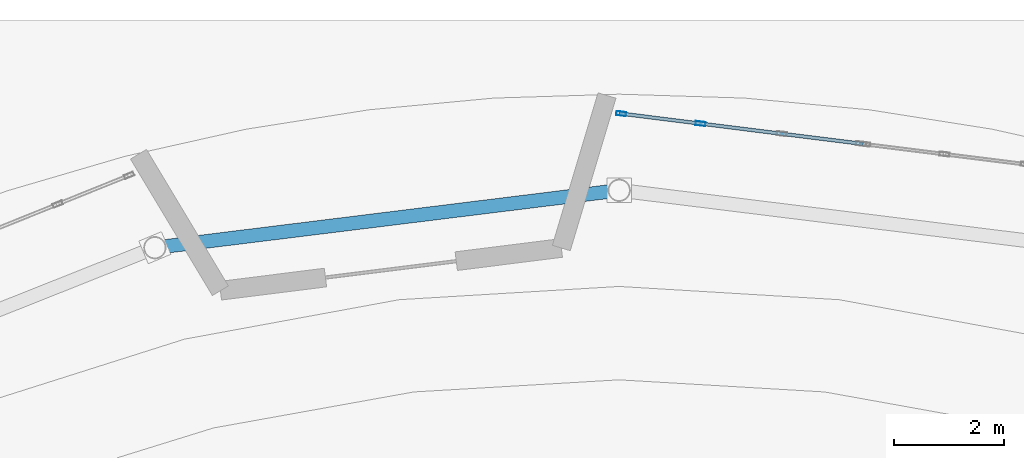
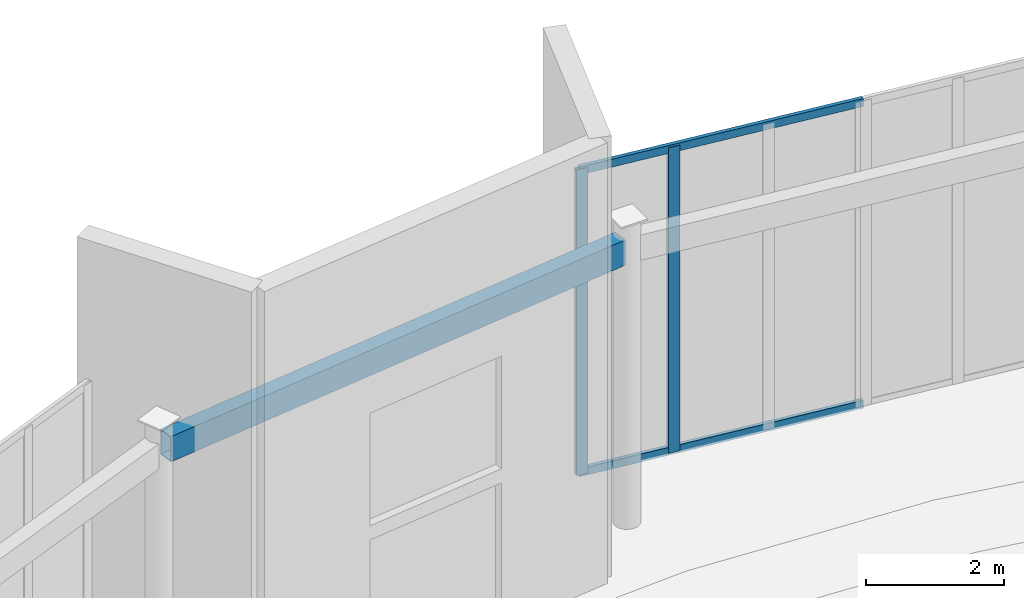
# One storey, part 40 of 94: 4 members, 1 beam, 1 element without a shape of its own.
"""IFC4 building model written with IfcOpenShell, lengths in metres."""

from ifc_helpers import new_model, si_unit, direction, frame, origin, origin_2d, place, context, subcontext, project, spatial, hollow_rectangle, extrude, material, layer, layer_set, material_profile, profile_set, type_object, element, aggregate, save


model = new_model("IFC4")

# Units and contexts
model_context = context("Model", 3, precision=1e-05, world=origin(), true_north=direction((0.0, 1.0)))
body_context = subcontext(model_context, "Body", "Model", "MODEL_VIEW")
ifc_project = project(units=[si_unit("LENGTHUNIT", "METRE"), si_unit("AREAUNIT", "SQUARE_METRE"), si_unit("VOLUMEUNIT", "CUBIC_METRE"), si_unit("PLANEANGLEUNIT", "RADIAN"), si_unit("MASSUNIT", "GRAM", prefix="KILO")], contexts=[model_context])

# Site, building, storey
site_placement = place(None, origin())
site = spatial("IfcSite", under=ifc_project, at=site_placement, CompositionType="ELEMENT")
building_placement = place(site_placement, origin())
building = spatial("IfcBuilding", under=site, at=building_placement, Name="Sollismere Congress Hotel", CompositionType="ELEMENT")
storey_placement = place(building_placement, origin())
storey = spatial("IfcBuildingStorey", under=building, at=storey_placement, Name="L00", CompositionType="ELEMENT", Elevation=0.0)

# Beam
ifc_material_1 = material(Name="Steel ASTM A500 Grade C", Category="steel")
ifc_material_profile_1 = material_profile(ifc_material_1, hollow_rectangle(XDim=0.25, YDim=0.449951171875, WallThickness=0.01611328125, at=origin_2d()), Name="HSS450X250X16")
ifc_profile_set_1 = profile_set([ifc_material_profile_1], Name="Steel ASTM A500 Grade C")
beam_type = type_object("IfcBeamType", Name="BM-BX450", PredefinedType="HOLLOWCORE", material=ifc_profile_set_1)
beam_placement = place(storey_placement, frame((28.880859375, 111.7353515625, 4.889892578125), z_axis=(-0.992441298933, -0.122720284274, 0.0), x_axis=(0.122720284274, -0.992441298933, 0.0)))
element("IfcBeam", 1, at=beam_placement, inside=storey, type_object=beam_type, Name="Beam BM-L00-4171", PredefinedType="HOLLOWCORE", context=body_context, shape_type="SweptSolid", body=[
    extrude(hollow_rectangle(XDim=0.25, YDim=0.449951171875, WallThickness=0.01611328125, at=origin_2d()), origin(), (0.0, 0.0, 1.0), 8.27587890625),
])

# Curtain wall, members
ifc_material_2 = material(Name="Anodized Bronze Curtain Wall & Low-E Triple Glazing", Category="glass")
ifc_layer = layer(ifc_material_2, 0.199951171875, Name="Anodized Bronze Curtain Wall & Low-E Triple Glazing")
ifc_layer_set = layer_set([ifc_layer], Name="Anodized Bronze Curtain Wall & Low-E Triple Glazing")
curtain_wall_type = type_object("IfcCurtainWallType", Name="CW-GLZ36", PredefinedType="USERDEFINED", material=ifc_layer_set)
curtain_wall_placement = place(storey_placement, origin())
curtain_wall = element("IfcCurtainWall", 2, at=curtain_wall_placement, inside=storey, type_object=curtain_wall_type, Name="Unitised curtain wall CW-L00-012", ObjectType="UNITISED CURTAIN WALL", PredefinedType="USERDEFINED")
ifc_material_3 = material(Name="Anodized Aluminum 6063-T6", Category="aluminium")
ifc_material_profile_2 = material_profile(ifc_material_3, hollow_rectangle(XDim=0.074951171875, YDim=0.179931640625, WallThickness=0.0048828125, at=origin_2d()), Name="ALU180X75X5")
ifc_profile_set_2 = profile_set([ifc_material_profile_2], Name="Anodized Aluminum 6063-T6")
member_type_1 = type_object("IfcMemberType", Name="ML-CW180", PredefinedType="MULLION", material=ifc_profile_set_2)
member_1_placement = place(storey_placement, frame((30.480712890625, 112.96435546875, 0.0), z_axis=(0.0, 0.0, 1.0), x_axis=(-0.124363496441, -0.992236726166, 0.0)))
member_1 = element("IfcMember", 3, at=member_1_placement, type_object=member_type_1, Name="CWL-CW-L00-012-ML03", PredefinedType="MULLION", context=body_context, shape_type="SweptSolid", body=[
    extrude(hollow_rectangle(XDim=0.074951171875, YDim=0.179931640625, WallThickness=0.0048828125, at=origin_2d()), origin(), (0.0, 0.0, 1.0), 5.419921875),
])
member_2_placement = place(storey_placement, frame((29.03759765625, 113.145263671875, 0.0), z_axis=(0.0, 0.0, 1.0), x_axis=(-0.124363496441, -0.992236726166, 0.0)))
member_2 = element("IfcMember", 4, at=member_2_placement, type_object=member_type_1, Name="CWL-CW-L00-012-ML04", PredefinedType="MULLION", context=body_context, shape_type="SweptSolid", body=[
    extrude(hollow_rectangle(XDim=0.074951171875, YDim=0.179931640625, WallThickness=0.0048828125, at=origin_2d()), origin(), (0.0, 0.0, 1.0), 5.419921875),
])
ifc_material_profile_3 = material_profile(ifc_material_3, hollow_rectangle(XDim=0.06494140625, YDim=0.139892578125, WallThickness=0.00390625, at=origin_2d()), Name="ALU140X65X4")
ifc_profile_set_3 = profile_set([ifc_material_profile_3], Name="Anodized Aluminum 6063-T6")
member_type_2 = type_object("IfcMemberType", Name="TR-CW150", PredefinedType="MEMBER", material=ifc_profile_set_3)
member_3_placement = place(storey_placement, frame((33.442138671875, 112.59326171875, 0.032470703125), z_axis=(-0.992240076669, 0.124336761462, 0.0), x_axis=(-0.124336761462, -0.992240076669, 0.0)))
member_3 = element("IfcMember", 5, at=member_3_placement, type_object=member_type_2, Name="CWL-CW-L00-012-TR1", PredefinedType="MEMBER", context=body_context, shape_type="SweptSolid", body=[
    extrude(hollow_rectangle(XDim=0.06494140625, YDim=0.139892578125, WallThickness=0.00390625, at=origin_2d()), origin(), (0.0, 0.0, 1.0), 4.476806640625),
])
member_4_placement = place(storey_placement, frame((33.442138671875, 112.59326171875, 5.387451171875), z_axis=(-0.992240076669, 0.124336761462, 0.0), x_axis=(-0.124336761462, -0.992240076669, 0.0)))
member_4 = element("IfcMember", 6, at=member_4_placement, type_object=member_type_2, Name="CWL-CW-L00-012-TR2", PredefinedType="MEMBER", context=body_context, shape_type="SweptSolid", body=[
    extrude(hollow_rectangle(XDim=0.06494140625, YDim=0.139892578125, WallThickness=0.00390625, at=origin_2d()), origin(), (0.0, 0.0, 1.0), 4.476806640625),
])
aggregate(curtain_wall, [member_1, member_2, member_3, member_4])

save(model, "model.ifc")
